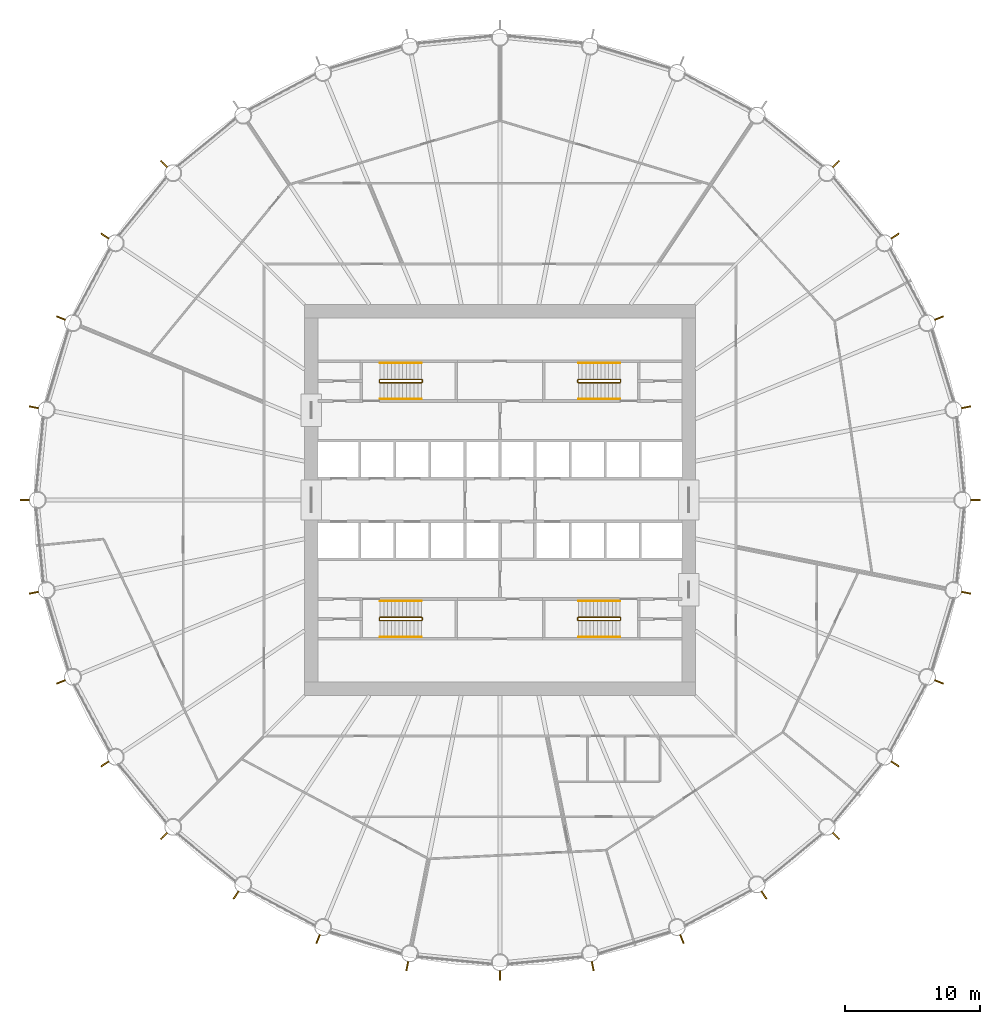
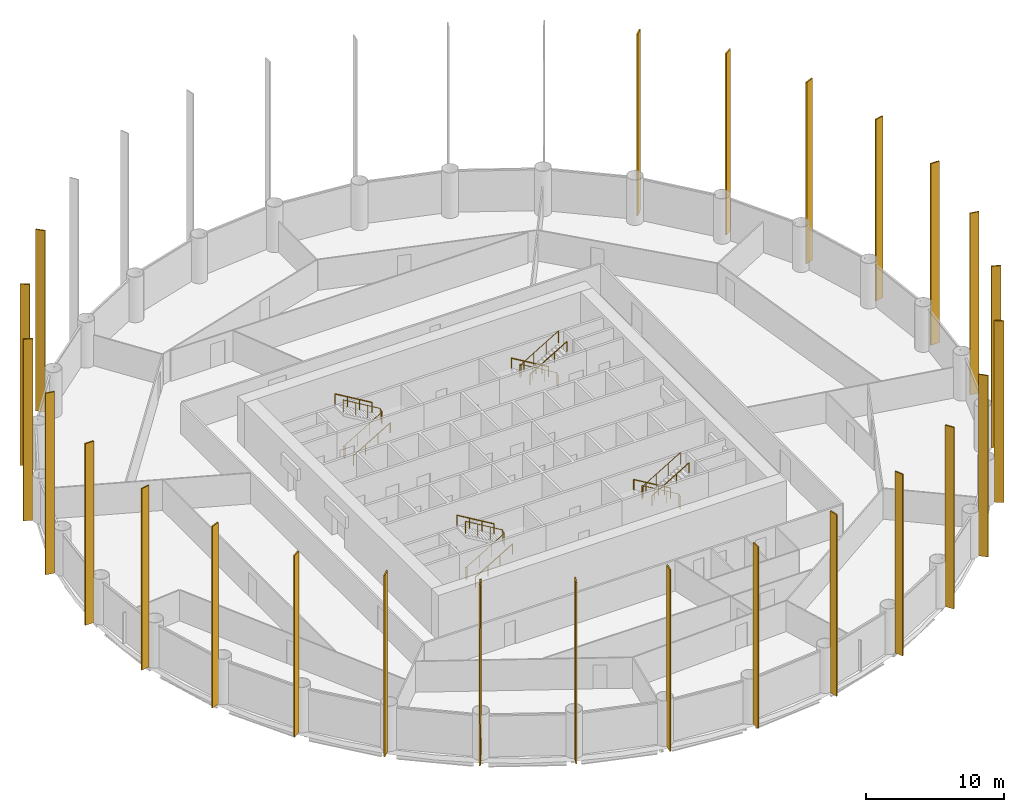
# One storey, part 9 of 10: 25 shading devices, 12 railings.
"""IFC4 building model written with IfcOpenShell, lengths in metres."""

from ifc_helpers import new_model, si_unit, direction, frame, origin, origin_2d, place, context, subcontext, project, spatial, rectangle, circle, extrude, material, material_profile, profile_set, type_object, element, save


model = new_model("IFC4")

# Units and contexts
model_context = context("Model", 3, precision=1e-05, world=origin(), true_north=direction((0.0, 1.0)))
body_context = subcontext(model_context, "Body", "Model", "MODEL_VIEW")
ifc_project = project(units=[si_unit("LENGTHUNIT", "METRE"), si_unit("AREAUNIT", "SQUARE_METRE"), si_unit("VOLUMEUNIT", "CUBIC_METRE"), si_unit("PLANEANGLEUNIT", "RADIAN"), si_unit("MASSUNIT", "GRAM", prefix="KILO")], contexts=[model_context])

# Site, building, storey
site_placement = place(None, origin())
site = spatial("IfcSite", under=ifc_project, at=site_placement, CompositionType="ELEMENT")
building_placement = place(site_placement, origin())
building = spatial("IfcBuilding", under=site, at=building_placement, Name="Corvane Civic Tower", CompositionType="ELEMENT")
storey_placement = place(building_placement, frame((0.0, 0.0, 90.5)))
storey = spatial("IfcBuildingStorey", under=building, at=storey_placement, Name="L20", CompositionType="ELEMENT", Elevation=90.5)

# Railings
ifc_material_1 = material(Name="Steel ASTM A572 Gr 50", Category="steel")
railing_type_1 = type_object("IfcRailingType", Name="ST-GUARD-1100", PredefinedType="GUARDRAIL", material=ifc_material_1)
railing_1_placement = place(storey_placement, frame((8.949951171875, 8.75, 0.0)))
element("IfcRailing", 1, at=railing_1_placement, inside=storey, type_object=railing_type_1, Name="L20 ST1 stair guard 1", PredefinedType="GUARDRAIL", context=body_context, shape_type="SweptSolid", body=[
    extrude(circle(Radius=0.02392578125, at=origin_2d()), frame((0.0, 0.0, 1.076171875), z_axis=(0.0, 1.0, 0.0), x_axis=(-1.0, 0.0, 0.0)), (0.0, 0.0, 1.0), 0.14990234375),
    extrude(circle(Radius=0.02392578125, at=origin_2d()), frame((0.0, 0.14990234375, 1.076171875), z_axis=(-0.27628659633, 0.27628659633, 0.920506074601), x_axis=(-0.707106781187, -0.707106781187, 0.0)), (0.0, 0.0, 1.0), 0.18115234375),
    extrude(circle(Radius=0.02392578125, at=origin_2d()), frame((-0.050048828125, 0.199951171875, 1.24267578125), z_axis=(-0.859290745958, 0.0, 0.51148745235), x_axis=(0.0, -1.0, 0.0)), (0.0, 0.0, 1.0), 3.584228515625),
    extrude(circle(Radius=0.02392578125, at=origin_2d()), frame((-3.1298828125, 0.199951171875, 3.076171875), z_axis=(-0.707106781187, -0.707106781187, 0.0), x_axis=(0.707106781187, -0.707106781187, 0.0)), (0.0, 0.0, 1.0), 0.07080078125),
    extrude(circle(Radius=0.02392578125, at=origin_2d()), frame((-3.179931640625, 0.14990234375, 3.076171875), z_axis=(0.0, -1.0, 0.0), x_axis=(1.0, 0.0, 0.0)), (0.0, 0.0, 1.0), 0.14990234375),
    extrude(circle(Radius=0.02392578125, at=origin_2d()), frame((-3.179931640625, 0.0, 3.076171875), z_axis=(0.27628659633, -0.27628659633, 0.920506074601), x_axis=(0.707106781187, 0.707106781187, 0.0)), (0.0, 0.0, 1.0), 0.18115234375),
    extrude(circle(Radius=0.02392578125, at=origin_2d()), frame((-3.1298828125, -0.050048828125, 3.24267578125), z_axis=(0.859290745958, 0.0, 0.51148745235), x_axis=(0.0, 1.0, 0.0)), (0.0, 0.0, 1.0), 3.584228515625),
    extrude(circle(Radius=0.02099609375, at=origin_2d()), origin(), (0.0, 0.0, 1.0), 1.052001953125),
    extrude(circle(Radius=0.02099609375, at=origin_2d()), frame((0.0, 0.14990234375, 0.0)), (0.0, 0.0, 1.0), 1.052001953125),
    extrude(circle(Radius=0.02099609375, at=origin_2d()), frame((-0.050048828125, 0.199951171875, 0.166748046875)), (0.0, 0.0, 1.0), 1.052001953125),
    extrude(circle(Radius=0.02099609375, at=origin_2d()), frame((-1.07666015625, 0.199951171875, 0.77783203125)), (0.0, 0.0, 1.0), 1.052001953125),
    extrude(circle(Radius=0.02099609375, at=origin_2d()), frame((-2.103271484375, 0.199951171875, 1.388916015625)), (0.0, 0.0, 1.0), 1.052001953125),
    extrude(circle(Radius=0.02099609375, at=origin_2d()), frame((-3.1298828125, 0.199951171875, 2.0)), (0.0, 0.0, 1.0), 1.052001953125),
    extrude(circle(Radius=0.02099609375, at=origin_2d()), frame((-3.179931640625, 0.14990234375, 2.0)), (0.0, 0.0, 1.0), 1.052001953125),
    extrude(circle(Radius=0.02099609375, at=origin_2d()), frame((-3.179931640625, 0.0, 2.0)), (0.0, 0.0, 1.0), 1.052001953125),
    extrude(circle(Radius=0.02099609375, at=origin_2d()), frame((-3.1298828125, -0.050048828125, 2.166748046875)), (0.0, 0.0, 1.0), 1.052001953125),
    extrude(circle(Radius=0.02099609375, at=origin_2d()), frame((-2.103271484375, -0.050048828125, 2.77783203125)), (0.0, 0.0, 1.0), 1.052001953125),
    extrude(circle(Radius=0.02099609375, at=origin_2d()), frame((-1.07666015625, -0.050048828125, 3.388916015625)), (0.0, 0.0, 1.0), 1.052001953125),
    extrude(circle(Radius=0.02099609375, at=origin_2d()), frame((-0.050048828125, -0.050048828125, 4.0)), (0.0, 0.0, 1.0), 1.052001953125),
])
railing_2_placement = place(storey_placement, frame((8.949951171875, -8.89990234375, 0.0)))
element("IfcRailing", 2, at=railing_2_placement, inside=storey, type_object=railing_type_1, Name="L20 ST2 stair guard 1", PredefinedType="GUARDRAIL", context=body_context, shape_type="SweptSolid", body=[
    extrude(circle(Radius=0.02392578125, at=origin_2d()), frame((0.0, 0.0, 1.076171875), z_axis=(0.0, 1.0, 0.0), x_axis=(-1.0, 0.0, 0.0)), (0.0, 0.0, 1.0), 0.14990234375),
    extrude(circle(Radius=0.02392578125, at=origin_2d()), frame((0.0, 0.14990234375, 1.076171875), z_axis=(-0.27628659633, 0.27628659633, 0.920506074601), x_axis=(-0.707106781187, -0.707106781187, 0.0)), (0.0, 0.0, 1.0), 0.18115234375),
    extrude(circle(Radius=0.02392578125, at=origin_2d()), frame((-0.050048828125, 0.199951171875, 1.24267578125), z_axis=(-0.859290745958, 0.0, 0.51148745235), x_axis=(0.0, -1.0, 0.0)), (0.0, 0.0, 1.0), 3.584228515625),
    extrude(circle(Radius=0.02392578125, at=origin_2d()), frame((-3.1298828125, 0.199951171875, 3.076171875), z_axis=(-0.707106781187, -0.707106781187, 0.0), x_axis=(0.707106781187, -0.707106781187, 0.0)), (0.0, 0.0, 1.0), 0.07080078125),
    extrude(circle(Radius=0.02392578125, at=origin_2d()), frame((-3.179931640625, 0.14990234375, 3.076171875), z_axis=(0.0, -1.0, 0.0), x_axis=(1.0, 0.0, 0.0)), (0.0, 0.0, 1.0), 0.14990234375),
    extrude(circle(Radius=0.02392578125, at=origin_2d()), frame((-3.179931640625, 0.0, 3.076171875), z_axis=(0.27628659633, -0.27628659633, 0.920506074601), x_axis=(0.707106781187, 0.707106781187, 0.0)), (0.0, 0.0, 1.0), 0.18115234375),
    extrude(circle(Radius=0.02392578125, at=origin_2d()), frame((-3.1298828125, -0.050048828125, 3.24267578125), z_axis=(0.859290745958, 0.0, 0.51148745235), x_axis=(0.0, 1.0, 0.0)), (0.0, 0.0, 1.0), 3.584228515625),
    extrude(circle(Radius=0.02099609375, at=origin_2d()), origin(), (0.0, 0.0, 1.0), 1.052001953125),
    extrude(circle(Radius=0.02099609375, at=origin_2d()), frame((0.0, 0.14990234375, 0.0)), (0.0, 0.0, 1.0), 1.052001953125),
    extrude(circle(Radius=0.02099609375, at=origin_2d()), frame((-0.050048828125, 0.199951171875, 0.166748046875)), (0.0, 0.0, 1.0), 1.052001953125),
    extrude(circle(Radius=0.02099609375, at=origin_2d()), frame((-1.07666015625, 0.199951171875, 0.77783203125)), (0.0, 0.0, 1.0), 1.052001953125),
    extrude(circle(Radius=0.02099609375, at=origin_2d()), frame((-2.103271484375, 0.199951171875, 1.388916015625)), (0.0, 0.0, 1.0), 1.052001953125),
    extrude(circle(Radius=0.02099609375, at=origin_2d()), frame((-3.1298828125, 0.199951171875, 2.0)), (0.0, 0.0, 1.0), 1.052001953125),
    extrude(circle(Radius=0.02099609375, at=origin_2d()), frame((-3.179931640625, 0.14990234375, 2.0)), (0.0, 0.0, 1.0), 1.052001953125),
    extrude(circle(Radius=0.02099609375, at=origin_2d()), frame((-3.179931640625, 0.0, 2.0)), (0.0, 0.0, 1.0), 1.052001953125),
    extrude(circle(Radius=0.02099609375, at=origin_2d()), frame((-3.1298828125, -0.050048828125, 2.166748046875)), (0.0, 0.0, 1.0), 1.052001953125),
    extrude(circle(Radius=0.02099609375, at=origin_2d()), frame((-2.103271484375, -0.050048828125, 2.77783203125)), (0.0, 0.0, 1.0), 1.052001953125),
    extrude(circle(Radius=0.02099609375, at=origin_2d()), frame((-1.07666015625, -0.050048828125, 3.388916015625)), (0.0, 0.0, 1.0), 1.052001953125),
    extrude(circle(Radius=0.02099609375, at=origin_2d()), frame((-0.050048828125, -0.050048828125, 4.0)), (0.0, 0.0, 1.0), 1.052001953125),
])
railing_3_placement = place(storey_placement, frame((-8.949951171875, -8.75, 0.0)))
element("IfcRailing", 3, at=railing_3_placement, inside=storey, type_object=railing_type_1, Name="L20 ST3 stair guard 1", PredefinedType="GUARDRAIL", context=body_context, shape_type="SweptSolid", body=[
    extrude(circle(Radius=0.02392578125, at=origin_2d()), frame((0.0, 0.0, 1.076171875), z_axis=(0.0, -1.0, 0.0), x_axis=(1.0, 0.0, 0.0)), (0.0, 0.0, 1.0), 0.14990234375),
    extrude(circle(Radius=0.02392578125, at=origin_2d()), frame((0.0, -0.14990234375, 1.076171875), z_axis=(0.27628659633, -0.27628659633, 0.920506074601), x_axis=(0.707106781187, 0.707106781187, 0.0)), (0.0, 0.0, 1.0), 0.18115234375),
    extrude(circle(Radius=0.02392578125, at=origin_2d()), frame((0.050048828125, -0.199951171875, 1.24267578125), z_axis=(0.859290745958, 0.0, 0.51148745235), x_axis=(0.0, 1.0, 0.0)), (0.0, 0.0, 1.0), 3.584228515625),
    extrude(circle(Radius=0.02392578125, at=origin_2d()), frame((3.1298828125, -0.199951171875, 3.076171875), z_axis=(0.707106781187, 0.707106781187, 0.0), x_axis=(-0.707106781187, 0.707106781187, 0.0)), (0.0, 0.0, 1.0), 0.07080078125),
    extrude(circle(Radius=0.02392578125, at=origin_2d()), frame((3.179931640625, -0.14990234375, 3.076171875), z_axis=(0.0, 1.0, 0.0), x_axis=(-1.0, 0.0, 0.0)), (0.0, 0.0, 1.0), 0.14990234375),
    extrude(circle(Radius=0.02392578125, at=origin_2d()), frame((3.179931640625, 0.0, 3.076171875), z_axis=(-0.27628659633, 0.27628659633, 0.920506074601), x_axis=(-0.707106781187, -0.707106781187, 0.0)), (0.0, 0.0, 1.0), 0.18115234375),
    extrude(circle(Radius=0.02392578125, at=origin_2d()), frame((3.1298828125, 0.050048828125, 3.24267578125), z_axis=(-0.859290745958, 0.0, 0.51148745235), x_axis=(0.0, -1.0, 0.0)), (0.0, 0.0, 1.0), 3.584228515625),
    extrude(circle(Radius=0.02099609375, at=origin_2d()), origin(), (0.0, 0.0, 1.0), 1.052001953125),
    extrude(circle(Radius=0.02099609375, at=origin_2d()), frame((0.0, -0.14990234375, 0.0)), (0.0, 0.0, 1.0), 1.052001953125),
    extrude(circle(Radius=0.02099609375, at=origin_2d()), frame((0.050048828125, -0.199951171875, 0.166748046875)), (0.0, 0.0, 1.0), 1.052001953125),
    extrude(circle(Radius=0.02099609375, at=origin_2d()), frame((1.07666015625, -0.199951171875, 0.77783203125)), (0.0, 0.0, 1.0), 1.052001953125),
    extrude(circle(Radius=0.02099609375, at=origin_2d()), frame((2.103271484375, -0.199951171875, 1.388916015625)), (0.0, 0.0, 1.0), 1.052001953125),
    extrude(circle(Radius=0.02099609375, at=origin_2d()), frame((3.1298828125, -0.199951171875, 2.0)), (0.0, 0.0, 1.0), 1.052001953125),
    extrude(circle(Radius=0.02099609375, at=origin_2d()), frame((3.179931640625, -0.14990234375, 2.0)), (0.0, 0.0, 1.0), 1.052001953125),
    extrude(circle(Radius=0.02099609375, at=origin_2d()), frame((3.179931640625, 0.0, 2.0)), (0.0, 0.0, 1.0), 1.052001953125),
    extrude(circle(Radius=0.02099609375, at=origin_2d()), frame((3.1298828125, 0.050048828125, 2.166748046875)), (0.0, 0.0, 1.0), 1.052001953125),
    extrude(circle(Radius=0.02099609375, at=origin_2d()), frame((2.103271484375, 0.050048828125, 2.77783203125)), (0.0, 0.0, 1.0), 1.052001953125),
    extrude(circle(Radius=0.02099609375, at=origin_2d()), frame((1.07666015625, 0.050048828125, 3.388916015625)), (0.0, 0.0, 1.0), 1.052001953125),
    extrude(circle(Radius=0.02099609375, at=origin_2d()), frame((0.050048828125, 0.050048828125, 4.0)), (0.0, 0.0, 1.0), 1.052001953125),
])
railing_4_placement = place(storey_placement, frame((-8.949951171875, 8.89990234375, 0.0)))
element("IfcRailing", 4, at=railing_4_placement, inside=storey, type_object=railing_type_1, Name="L20 ST4 stair guard 1", PredefinedType="GUARDRAIL", context=body_context, shape_type="SweptSolid", body=[
    extrude(circle(Radius=0.02392578125, at=origin_2d()), frame((0.0, 0.0, 1.076171875), z_axis=(0.0, -1.0, 0.0), x_axis=(1.0, 0.0, 0.0)), (0.0, 0.0, 1.0), 0.14990234375),
    extrude(circle(Radius=0.02392578125, at=origin_2d()), frame((0.0, -0.14990234375, 1.076171875), z_axis=(0.27628659633, -0.27628659633, 0.920506074601), x_axis=(0.707106781187, 0.707106781187, 0.0)), (0.0, 0.0, 1.0), 0.18115234375),
    extrude(circle(Radius=0.02392578125, at=origin_2d()), frame((0.050048828125, -0.199951171875, 1.24267578125), z_axis=(0.859290745958, 0.0, 0.51148745235), x_axis=(0.0, 1.0, 0.0)), (0.0, 0.0, 1.0), 3.584228515625),
    extrude(circle(Radius=0.02392578125, at=origin_2d()), frame((3.1298828125, -0.199951171875, 3.076171875), z_axis=(0.707106781187, 0.707106781187, 0.0), x_axis=(-0.707106781187, 0.707106781187, 0.0)), (0.0, 0.0, 1.0), 0.07080078125),
    extrude(circle(Radius=0.02392578125, at=origin_2d()), frame((3.179931640625, -0.14990234375, 3.076171875), z_axis=(0.0, 1.0, 0.0), x_axis=(-1.0, 0.0, 0.0)), (0.0, 0.0, 1.0), 0.14990234375),
    extrude(circle(Radius=0.02392578125, at=origin_2d()), frame((3.179931640625, 0.0, 3.076171875), z_axis=(-0.27628659633, 0.27628659633, 0.920506074601), x_axis=(-0.707106781187, -0.707106781187, 0.0)), (0.0, 0.0, 1.0), 0.18115234375),
    extrude(circle(Radius=0.02392578125, at=origin_2d()), frame((3.1298828125, 0.050048828125, 3.24267578125), z_axis=(-0.859290745958, 0.0, 0.51148745235), x_axis=(0.0, -1.0, 0.0)), (0.0, 0.0, 1.0), 3.584228515625),
    extrude(circle(Radius=0.02099609375, at=origin_2d()), origin(), (0.0, 0.0, 1.0), 1.052001953125),
    extrude(circle(Radius=0.02099609375, at=origin_2d()), frame((0.0, -0.14990234375, 0.0)), (0.0, 0.0, 1.0), 1.052001953125),
    extrude(circle(Radius=0.02099609375, at=origin_2d()), frame((0.050048828125, -0.199951171875, 0.166748046875)), (0.0, 0.0, 1.0), 1.052001953125),
    extrude(circle(Radius=0.02099609375, at=origin_2d()), frame((1.07666015625, -0.199951171875, 0.77783203125)), (0.0, 0.0, 1.0), 1.052001953125),
    extrude(circle(Radius=0.02099609375, at=origin_2d()), frame((2.103271484375, -0.199951171875, 1.388916015625)), (0.0, 0.0, 1.0), 1.052001953125),
    extrude(circle(Radius=0.02099609375, at=origin_2d()), frame((3.1298828125, -0.199951171875, 2.0)), (0.0, 0.0, 1.0), 1.052001953125),
    extrude(circle(Radius=0.02099609375, at=origin_2d()), frame((3.179931640625, -0.14990234375, 2.0)), (0.0, 0.0, 1.0), 1.052001953125),
    extrude(circle(Radius=0.02099609375, at=origin_2d()), frame((3.179931640625, 0.0, 2.0)), (0.0, 0.0, 1.0), 1.052001953125),
    extrude(circle(Radius=0.02099609375, at=origin_2d()), frame((3.1298828125, 0.050048828125, 2.166748046875)), (0.0, 0.0, 1.0), 1.052001953125),
    extrude(circle(Radius=0.02099609375, at=origin_2d()), frame((2.103271484375, 0.050048828125, 2.77783203125)), (0.0, 0.0, 1.0), 1.052001953125),
    extrude(circle(Radius=0.02099609375, at=origin_2d()), frame((1.07666015625, 0.050048828125, 3.388916015625)), (0.0, 0.0, 1.0), 1.052001953125),
    extrude(circle(Radius=0.02099609375, at=origin_2d()), frame((0.050048828125, 0.050048828125, 4.0)), (0.0, 0.0, 1.0), 1.052001953125),
])
ifc_material_2 = material(Name="Steel ASTM A572 Gr 50", Category="steel")
railing_type_2 = type_object("IfcRailingType", Name="ST-HANDRAIL-900", PredefinedType="HANDRAIL", material=ifc_material_2)
railing_5_placement = place(storey_placement, frame((8.89990234375, 10.14990234375, 0.166748046875)))
element("IfcRailing", 5, at=railing_5_placement, inside=storey, type_object=railing_type_2, Name="L20 ST1 stair handrail 1", PredefinedType="HANDRAIL", context=body_context, shape_type="SweptSolid", body=[
    extrude(circle(Radius=0.02392578125, at=origin_2d()), frame((0.0, 0.0, 0.8759765625), z_axis=(-0.859290745958, 0.0, 0.51148745235), x_axis=(0.0, -1.0, 0.0)), (0.0, 0.0, 1.0), 3.584228515625),
    extrude(circle(Radius=0.02099609375, at=origin_2d()), origin(), (0.0, 0.0, 1.0), 0.851806640625),
    extrude(circle(Radius=0.02099609375, at=origin_2d()), frame((-1.026611328125, 0.0, 0.611083984375)), (0.0, 0.0, 1.0), 0.851806640625),
    extrude(circle(Radius=0.02099609375, at=origin_2d()), frame((-2.05322265625, 0.0, 1.22216796875)), (0.0, 0.0, 1.0), 0.851806640625),
    extrude(circle(Radius=0.02099609375, at=origin_2d()), frame((-3.079833984375, 0.0, 1.833251953125)), (0.0, 0.0, 1.0), 0.851806640625),
])
railing_6_placement = place(storey_placement, frame((5.820068359375, 7.5, 2.166748046875)))
element("IfcRailing", 6, at=railing_6_placement, inside=storey, type_object=railing_type_2, Name="L20 ST1 stair handrail 2", PredefinedType="HANDRAIL", context=body_context, shape_type="SweptSolid", body=[
    extrude(circle(Radius=0.02392578125, at=origin_2d()), frame((0.0, 0.0, 0.8759765625), z_axis=(0.859290745958, 0.0, 0.51148745235), x_axis=(0.0, 1.0, 0.0)), (0.0, 0.0, 1.0), 3.584228515625),
    extrude(circle(Radius=0.02099609375, at=origin_2d()), origin(), (0.0, 0.0, 1.0), 0.851806640625),
    extrude(circle(Radius=0.02099609375, at=origin_2d()), frame((1.026611328125, 0.0, 0.611083984375)), (0.0, 0.0, 1.0), 0.851806640625),
    extrude(circle(Radius=0.02099609375, at=origin_2d()), frame((2.05322265625, 0.0, 1.22216796875)), (0.0, 0.0, 1.0), 0.851806640625),
    extrude(circle(Radius=0.02099609375, at=origin_2d()), frame((3.079833984375, 0.0, 1.833251953125)), (0.0, 0.0, 1.0), 0.851806640625),
])
railing_7_placement = place(storey_placement, frame((8.89990234375, -7.5, 0.166748046875)))
element("IfcRailing", 7, at=railing_7_placement, inside=storey, type_object=railing_type_2, Name="L20 ST2 stair handrail 1", PredefinedType="HANDRAIL", context=body_context, shape_type="SweptSolid", body=[
    extrude(circle(Radius=0.02392578125, at=origin_2d()), frame((0.0, 0.0, 0.8759765625), z_axis=(-0.859290745958, 0.0, 0.51148745235), x_axis=(0.0, -1.0, 0.0)), (0.0, 0.0, 1.0), 3.584228515625),
    extrude(circle(Radius=0.02099609375, at=origin_2d()), origin(), (0.0, 0.0, 1.0), 0.851806640625),
    extrude(circle(Radius=0.02099609375, at=origin_2d()), frame((-1.026611328125, 0.0, 0.611083984375)), (0.0, 0.0, 1.0), 0.851806640625),
    extrude(circle(Radius=0.02099609375, at=origin_2d()), frame((-2.05322265625, 0.0, 1.22216796875)), (0.0, 0.0, 1.0), 0.851806640625),
    extrude(circle(Radius=0.02099609375, at=origin_2d()), frame((-3.079833984375, 0.0, 1.833251953125)), (0.0, 0.0, 1.0), 0.851806640625),
])
for number, where, name in (
    (8, (5.820068359375, -10.14990234375, 2.166748046875), "L20 ST2 stair handrail 2"),
    (9, (-8.89990234375, -10.14990234375, 0.166748046875), "L20 ST3 stair handrail 1"),
):
    element("IfcRailing", number, at=place(storey_placement, frame(where)), inside=storey, type_object=railing_type_2, Name=name, PredefinedType="HANDRAIL", context=body_context, shape_type="SweptSolid", body=[
        extrude(circle(Radius=0.02392578125, at=origin_2d()), frame((0.0, 0.0, 0.8759765625), z_axis=(0.859290745958, 0.0, 0.51148745235), x_axis=(0.0, 1.0, 0.0)), (0.0, 0.0, 1.0), 3.584228515625),
        extrude(circle(Radius=0.02099609375, at=origin_2d()), origin(), (0.0, 0.0, 1.0), 0.851806640625),
        extrude(circle(Radius=0.02099609375, at=origin_2d()), frame((1.026611328125, 0.0, 0.611083984375)), (0.0, 0.0, 1.0), 0.851806640625),
        extrude(circle(Radius=0.02099609375, at=origin_2d()), frame((2.05322265625, 0.0, 1.22216796875)), (0.0, 0.0, 1.0), 0.851806640625),
        extrude(circle(Radius=0.02099609375, at=origin_2d()), frame((3.079833984375, 0.0, 1.833251953125)), (0.0, 0.0, 1.0), 0.851806640625),
    ])
railing_8_placement = place(storey_placement, frame((-5.820068359375, -7.5, 2.166748046875)))
element("IfcRailing", 10, at=railing_8_placement, inside=storey, type_object=railing_type_2, Name="L20 ST3 stair handrail 2", PredefinedType="HANDRAIL", context=body_context, shape_type="SweptSolid", body=[
    extrude(circle(Radius=0.02392578125, at=origin_2d()), frame((0.0, 0.0, 0.8759765625), z_axis=(-0.859290745958, 0.0, 0.51148745235), x_axis=(0.0, -1.0, 0.0)), (0.0, 0.0, 1.0), 3.584228515625),
    extrude(circle(Radius=0.02099609375, at=origin_2d()), origin(), (0.0, 0.0, 1.0), 0.851806640625),
    extrude(circle(Radius=0.02099609375, at=origin_2d()), frame((-1.026611328125, 0.0, 0.611083984375)), (0.0, 0.0, 1.0), 0.851806640625),
    extrude(circle(Radius=0.02099609375, at=origin_2d()), frame((-2.05322265625, 0.0, 1.22216796875)), (0.0, 0.0, 1.0), 0.851806640625),
    extrude(circle(Radius=0.02099609375, at=origin_2d()), frame((-3.079833984375, 0.0, 1.833251953125)), (0.0, 0.0, 1.0), 0.851806640625),
])
railing_9_placement = place(storey_placement, frame((-8.89990234375, 7.5, 0.166748046875)))
element("IfcRailing", 11, at=railing_9_placement, inside=storey, type_object=railing_type_2, Name="L20 ST4 stair handrail 1", PredefinedType="HANDRAIL", context=body_context, shape_type="SweptSolid", body=[
    extrude(circle(Radius=0.02392578125, at=origin_2d()), frame((0.0, 0.0, 0.8759765625), z_axis=(0.859290745958, 0.0, 0.51148745235), x_axis=(0.0, 1.0, 0.0)), (0.0, 0.0, 1.0), 3.584228515625),
    extrude(circle(Radius=0.02099609375, at=origin_2d()), origin(), (0.0, 0.0, 1.0), 0.851806640625),
    extrude(circle(Radius=0.02099609375, at=origin_2d()), frame((1.026611328125, 0.0, 0.611083984375)), (0.0, 0.0, 1.0), 0.851806640625),
    extrude(circle(Radius=0.02099609375, at=origin_2d()), frame((2.05322265625, 0.0, 1.22216796875)), (0.0, 0.0, 1.0), 0.851806640625),
    extrude(circle(Radius=0.02099609375, at=origin_2d()), frame((3.079833984375, 0.0, 1.833251953125)), (0.0, 0.0, 1.0), 0.851806640625),
])
railing_10_placement = place(storey_placement, frame((-5.820068359375, 10.14990234375, 2.166748046875)))
element("IfcRailing", 12, at=railing_10_placement, inside=storey, type_object=railing_type_2, Name="L20 ST4 stair handrail 2", PredefinedType="HANDRAIL", context=body_context, shape_type="SweptSolid", body=[
    extrude(circle(Radius=0.02392578125, at=origin_2d()), frame((0.0, 0.0, 0.8759765625), z_axis=(-0.859290745958, 0.0, 0.51148745235), x_axis=(0.0, -1.0, 0.0)), (0.0, 0.0, 1.0), 3.584228515625),
    extrude(circle(Radius=0.02099609375, at=origin_2d()), origin(), (0.0, 0.0, 1.0), 0.851806640625),
    extrude(circle(Radius=0.02099609375, at=origin_2d()), frame((-1.026611328125, 0.0, 0.611083984375)), (0.0, 0.0, 1.0), 0.851806640625),
    extrude(circle(Radius=0.02099609375, at=origin_2d()), frame((-2.05322265625, 0.0, 1.22216796875)), (0.0, 0.0, 1.0), 0.851806640625),
    extrude(circle(Radius=0.02099609375, at=origin_2d()), frame((-3.079833984375, 0.0, 1.833251953125)), (0.0, 0.0, 1.0), 0.851806640625),
])

# Shading devices
ifc_material_3 = material(Name="Anodised aluminium bronze", Category="aluminium")
ifc_material_profile = material_profile(ifc_material_3, rectangle(XDim=0.10009765625, YDim=0.699951171875, at=origin_2d()), Name="TOWER FIN STACK 100x700 BRONZE")
ifc_profile_set = profile_set([ifc_material_profile], Name="Anodised aluminium bronze")
shading_device_type = type_object("IfcShadingDeviceType", Name="TOWER FIN STACK 100x700 BRONZE", PredefinedType="USERDEFINED", material=ifc_profile_set)
for number, where, z_axis, x_axis, name in (
    (13, (24.928955078125, 24.928955078125, 0.0), (0.0, 0.0, 1.0), (0.707106781187, -0.707106781187, 0.0), "Fin 05 L20 to L23"),
    (14, (29.3134765625, 19.586669921875, 0.0), (0.0, 0.0, 1.0), (0.55557023302, -0.831469612303, 0.0), "Fin 06 L20 to L23"),
    (15, (32.5712890625, 13.491455078125, 0.0), (0.0, 0.0, 1.0), (0.382683432365, -0.923879532511, 0.0), "Fin 07 L20 to L23"),
    (16, (34.57763671875, 6.8779296875, 0.0), (0.0, 0.0, 1.0), (0.195090322016, -0.980785280403, 0.0), "Fin 08 L20 to L23"),
    (17, (35.2548828125, 0.0, 0.0), (0.0, 0.0, 1.0), (0.0, -1.0, 0.0), "Fin 09 L20 to L23"),
    (18, (34.57763671875, -6.8779296875, 0.0), (0.0, 0.0, 1.0), (-0.195090322016, -0.980785280403, 0.0), "Fin 10 L20 to L23"),
    (19, (32.5712890625, -13.491455078125, 0.0), (0.0, 0.0, 1.0), (-0.382683432365, -0.923879532511, 0.0), "Fin 11 L20 to L23"),
    (20, (29.3134765625, -19.586669921875, 0.0), (0.0, 0.0, 1.0), (-0.55557023302, -0.831469612303, 0.0), "Fin 12 L20 to L23"),
    (21, (24.928955078125, -24.928955078125, 0.0), (0.0, 0.0, 1.0), (-0.707106781187, -0.707106781187, 0.0), "Fin 13 L20 to L23"),
    (22, (19.586669921875, -29.3134765625, 0.0), (0.0, 0.0, 1.0), (-0.831469612303, -0.55557023302, 0.0), "Fin 14 L20 to L23"),
    (23, (13.491455078125, -32.5712890625, 0.0), (0.0, 0.0, 1.0), (-0.923879532511, -0.382683432365, 0.0), "Fin 15 L20 to L23"),
    (24, (6.8779296875, -34.57763671875, 0.0), (0.0, 0.0, 1.0), (-0.980785280403, -0.195090322016, 0.0), "Fin 16 L20 to L23"),
    (25, (0.0, -35.2548828125, 0.0), (0.0, 0.0, 1.0), (-1.0, 0.0, 0.0), "Fin 17 L20 to L23"),
    (26, (-6.8779296875, -34.57763671875, 0.0), (0.0, 0.0, 1.0), (-0.980785280403, 0.195090322016, 0.0), "Fin 18 L20 to L23"),
    (27, (-13.491455078125, -32.5712890625, 0.0), (0.0, 0.0, 1.0), (-0.923879532511, 0.382683432365, 0.0), "Fin 19 L20 to L23"),
    (28, (-19.586669921875, -29.3134765625, 0.0), (0.0, 0.0, 1.0), (-0.831469612303, 0.55557023302, 0.0), "Fin 20 L20 to L23"),
    (29, (-24.928955078125, -24.928955078125, 0.0), (0.0, 0.0, 1.0), (-0.707106781187, 0.707106781187, 0.0), "Fin 21 L20 to L23"),
    (30, (-29.3134765625, -19.586669921875, 0.0), (0.0, 0.0, 1.0), (-0.55557023302, 0.831469612303, 0.0), "Fin 22 L20 to L23"),
    (31, (-32.5712890625, -13.491455078125, 0.0), (0.0, 0.0, 1.0), (-0.382683432365, 0.923879532511, 0.0), "Fin 23 L20 to L23"),
    (32, (-34.57763671875, -6.8779296875, 0.0), (0.0, 0.0, 1.0), (-0.195090322016, 0.980785280403, 0.0), "Fin 24 L20 to L23"),
    (33, (-35.2548828125, 0.0, 0.0), (0.0, 0.0, 1.0), (0.0, 1.0, 0.0), "Fin 25 L20 to L23"),
    (34, (-34.57763671875, 6.8779296875, 0.0), (0.0, 0.0, 1.0), (0.195090322016, 0.980785280403, 0.0), "Fin 26 L20 to L23"),
    (35, (-32.5712890625, 13.491455078125, 0.0), (0.0, 0.0, 1.0), (0.382683432365, 0.923879532511, 0.0), "Fin 27 L20 to L23"),
    (36, (-29.3134765625, 19.586669921875, 0.0), (0.0, 0.0, 1.0), (0.55557023302, 0.831469612303, 0.0), "Fin 28 L20 to L23"),
    (37, (-24.928955078125, 24.928955078125, 0.0), (0.0, 0.0, 1.0), (0.707106781187, 0.707106781187, 0.0), "Fin 29 L20 to L23"),
):
    element("IfcShadingDevice", number, at=place(storey_placement, frame(where, z_axis=z_axis, x_axis=x_axis)), inside=storey, type_object=shading_device_type, Name=name, ObjectType="FIN", PredefinedType="USERDEFINED", context=body_context, shape_type="SweptSolid", body=[
        extrude(rectangle(XDim=0.10009765625, YDim=0.699951171875, at=origin_2d()), origin(), (0.0, 0.0, 1.0), 16.0),
    ])

save(model, "model.ifc")
